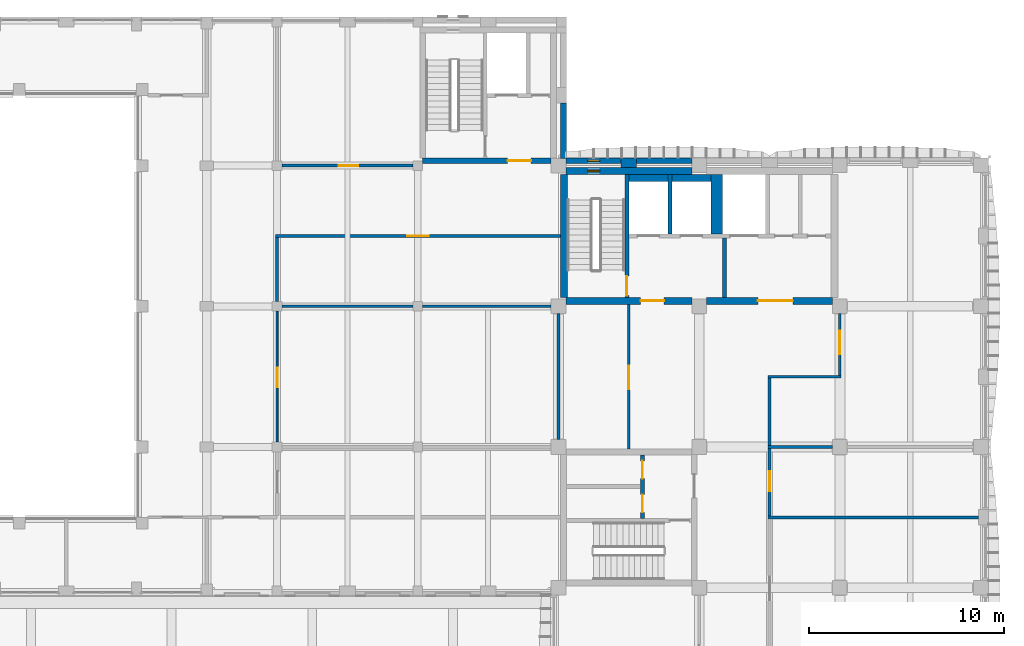
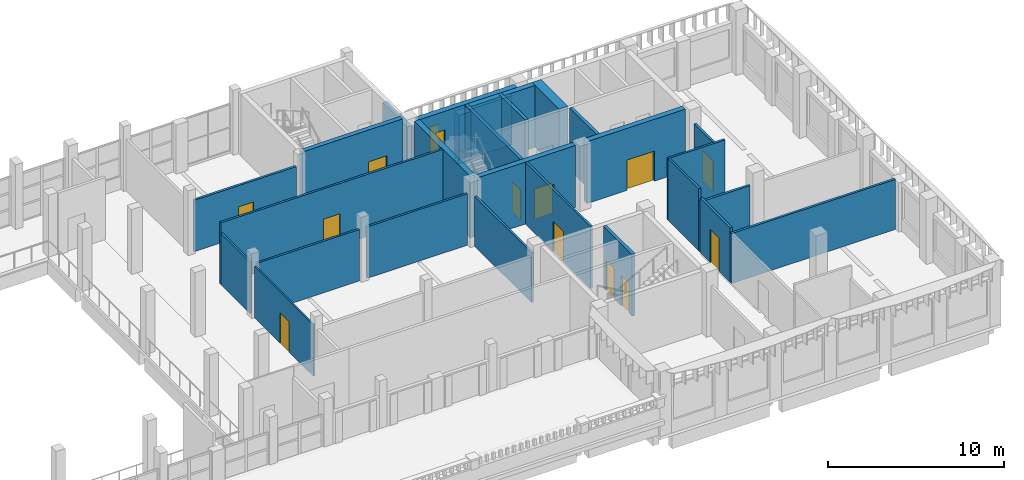
# One storey, part 23 of 58: 30 walls, 12 doors, 2 windows, 14 openings.
"""IFC4 building model written with IfcOpenShell, lengths in metres."""

from ifc_helpers import new_model, si_unit, direction, frame, frame_2d, origin, place, context, subcontext, project, spatial, rectangle, extrude, material, layer, layer_set, type_object, element, fill, save


model = new_model("IFC4")

# Units and contexts
model_context = context("Model", 3, precision=1e-05, world=origin(), true_north=direction((0.0, 1.0)))
body_context = subcontext(model_context, "Body", "Model", "MODEL_VIEW")
ifc_project = project(units=[si_unit("LENGTHUNIT", "METRE"), si_unit("AREAUNIT", "SQUARE_METRE"), si_unit("VOLUMEUNIT", "CUBIC_METRE"), si_unit("PLANEANGLEUNIT", "RADIAN"), si_unit("MASSUNIT", "GRAM", prefix="KILO")], contexts=[model_context])

# Site, building, storey
site_placement = place(None, origin())
site = spatial("IfcSite", under=ifc_project, at=site_placement, CompositionType="ELEMENT")
building_placement = place(site_placement, origin())
building = spatial("IfcBuilding", under=site, at=building_placement, Name="Ussher Court Research Institute", CompositionType="ELEMENT")
storey_placement = place(building_placement, frame((0.0, 0.0, 9.89990234375)))
storey = spatial("IfcBuildingStorey", under=building, at=storey_placement, Name="L02", CompositionType="ELEMENT", Elevation=9.89990234375)

# Wall
ifc_material_1 = material(Name="Limestone facing on blockwork", Category="masonry")
ifc_layer_1 = layer(ifc_material_1, 0.300048828125)
ifc_layer_set_1 = layer_set([ifc_layer_1], Name="Limestone facing on blockwork")
wall_type_1 = type_object("IfcWallType", Name="External wall 300 stair enclosure", PredefinedType="SOLIDWALL", material=ifc_layer_set_1)
wall_1_placement = place(storey_placement, frame((82.449951171875, 36.0, 0.0), z_axis=(0.0, 0.0, 1.0), x_axis=(0.0, -1.0, 0.0)))
element("IfcWall", 1, at=wall_1_placement, inside=storey, type_object=wall_type_1, Name="External wall EW5 L02", PredefinedType="SOLIDWALL", context=body_context, shape_type="SweptSolid", body=[
    extrude(rectangle(XDim=2.824951171875, YDim=0.300048828125, at=frame_2d((1.41259765625, 0.0))), origin(), (0.0, 0.0, 1.0), 3.400146484375),
])

# Wall, opening, window
wall_2_placement = place(storey_placement, frame((82.574951171875, 33.050048828125, 0.0), z_axis=(0.0, 0.0, 1.0), x_axis=(1.0, 0.0, 0.0)))
wall_2 = element("IfcWall", 2, at=wall_2_placement, inside=storey, type_object=wall_type_1, Name="External wall EW5 L02", PredefinedType="SOLIDWALL", context=body_context, shape_type="SweptSolid", body=[
    extrude(rectangle(XDim=2.824951171875, YDim=0.300048828125, at=frame_2d((1.41259765625, 0.0))), origin(), (0.0, 0.0, 1.0), 3.400146484375),
])
opening_1_placement = place(wall_2_placement, frame((1.125, 0.0, 1.199951171875)))
opening_1 = element("IfcOpeningElement", 3, at=opening_1_placement, cuts=wall_2, Name="Opening W25", PredefinedType="OPENING", context=body_context, shape_type="SweptSolid", body=[
    extrude(rectangle(XDim=0.60009765625, YDim=1.800048828125, at=frame_2d((0.300048828125, 0.89990234375))), frame((0.0, 0.16015625, 0.0), z_axis=(0.0, -1.0, 0.0), x_axis=(1.0, 0.0, 0.0)), (0.0, 0.0, 1.0), 0.320068359375),
])
ifc_material_2 = material(Name="Bronze anodised aluminium with double glazing", Category="aluminium")
window_type = type_object("IfcWindowType", Name="Stair light slot window 600x1800 fire-resisting glazing", PartitioningType="SINGLE_PANEL", PredefinedType="WINDOW", material=ifc_material_2)
window_1_placement = place(opening_1_placement, origin())
window_1 = element("IfcWindow", 4, at=window_1_placement, inside=storey, type_object=window_type, Name="Window W25 L02", OverallHeight=1.800048828125, OverallWidth=0.60009765625, PartitioningType="SINGLE_PANEL", PredefinedType="WINDOW", context=body_context, shape_type="SweptSolid", body=[
    extrude(rectangle(XDim=0.60009765625, YDim=1.800048828125, at=frame_2d((0.300048828125, 0.89990234375))), frame((0.0, 0.030029296875, 0.0), z_axis=(0.0, -1.0, 0.0), x_axis=(1.0, 0.0, 0.0)), (0.0, 0.0, 1.0), 0.06005859375),
])
fill(opening_1, window_1)

# Walls
wall_3_placement = place(storey_placement, frame((86.199951171875, 33.050048828125, 0.0), z_axis=(0.0, 0.0, 1.0), x_axis=(1.0, 0.0, 0.0)))
element("IfcWall", 5, at=wall_3_placement, inside=storey, type_object=wall_type_1, Name="External wall EW5 L02", PredefinedType="SOLIDWALL", context=body_context, shape_type="SweptSolid", body=[
    extrude(rectangle(XDim=2.824951171875, YDim=0.300048828125, at=frame_2d((1.41259765625, 0.0))), origin(), (0.0, 0.0, 1.0), 3.400146484375),
])
ifc_material_3 = material(Name="Plastered blockwork", Category="masonry")
ifc_layer_2 = layer(ifc_material_3, 0.14990234375)
ifc_layer_set_2 = layer_set([ifc_layer_2], Name="Plastered blockwork")
wall_type_2 = type_object("IfcWallType", Name="Fire partition blockwork 150 EI 60", PredefinedType="PARTITIONING", material=ifc_layer_set_2)
wall_4_placement = place(storey_placement, frame((92.925048828125, 14.800048828125, 0.0), z_axis=(0.0, 0.0, 1.0), x_axis=(1.0, 0.0, 0.0)))
element("IfcWall", 6, at=wall_4_placement, inside=storey, type_object=wall_type_2, Name="Fire partition", PredefinedType="PARTITIONING", context=body_context, shape_type="SweptSolid", body=[
    extrude(rectangle(XDim=10.77490234375, YDim=0.14990234375, at=frame_2d((5.387451171875, 0.0))), origin(), (0.0, 0.0, 1.0), 3.47021484375),
])
wall_5_placement = place(storey_placement, frame((92.925048828125, 18.39990234375, 0.0), z_axis=(0.0, 0.0, 1.0), x_axis=(1.0, 0.0, 0.0)))
element("IfcWall", 7, at=wall_5_placement, inside=storey, type_object=wall_type_2, Name="Fire partition", PredefinedType="PARTITIONING", context=body_context, shape_type="SweptSolid", body=[
    extrude(rectangle(XDim=3.300048828125, YDim=0.14990234375, at=frame_2d((1.64990234375, 0.0))), origin(), (0.0, 0.0, 1.0), 3.47021484375),
])

# Wall, opening, door
wall_6_placement = place(storey_placement, frame((68.050048828125, 32.800048828125, 0.0), z_axis=(0.0, 0.0, 1.0), x_axis=(1.0, 0.0, 0.0)))
wall_6 = element("IfcWall", 8, at=wall_6_placement, inside=storey, type_object=wall_type_2, Name="Fire partition", PredefinedType="PARTITIONING", context=body_context, shape_type="SweptSolid", body=[
    extrude(rectangle(XDim=6.699951171875, YDim=0.14990234375, at=frame_2d((3.35009765625, 0.0))), origin(), (0.0, 0.0, 1.0), 3.570068359375),
])
opening_2_placement = place(wall_6_placement, frame((2.89990234375, 0.0, 0.0)))
opening_2 = element("IfcOpeningElement", 9, at=opening_2_placement, cuts=wall_6, Name="Opening D02035", PredefinedType="OPENING", context=body_context, shape_type="SweptSolid", body=[
    extrude(rectangle(XDim=1.0, YDim=2.10009765625, at=frame_2d((0.5, 1.050048828125))), frame((0.0, 0.0849609375, 0.0), z_axis=(0.0, -1.0, 0.0), x_axis=(1.0, 0.0, 0.0)), (0.0, 0.0, 1.0), 0.169921875),
])
ifc_material_4 = material(Name="Painted steel faced fire door", Category="steel")
door_type_1 = type_object("IfcDoorType", Name="Store door 1000x2100 FD60", OperationType="NOTDEFINED", PredefinedType="DOOR", material=ifc_material_4)
door_1_placement = place(opening_2_placement, origin())
door_1 = element("IfcDoor", 10, at=door_1_placement, inside=storey, type_object=door_type_1, Name="Door D02035", OperationType="SINGLE_SWING_RIGHT", OverallHeight=2.10009765625, OverallWidth=1.0, PredefinedType="DOOR", context=body_context, shape_type="SweptSolid", body=[
    extrude(rectangle(XDim=1.0, YDim=2.10009765625, at=frame_2d((0.5, 1.050048828125))), frame((0.0, 0.02490234375, 0.0), z_axis=(0.0, -1.0, 0.0), x_axis=(1.0, 0.0, 0.0)), (0.0, 0.0, 1.0), 0.050048828125),
])
fill(opening_2, door_1)

wall_7_placement = place(storey_placement, frame((93.0, 18.324951171875, 0.0), z_axis=(0.0, 0.0, 1.0), x_axis=(0.0, -1.0, 0.0)))
wall_7 = element("IfcWall", 11, at=wall_7_placement, inside=storey, type_object=wall_type_2, Name="Fire partition", PredefinedType="PARTITIONING", context=body_context, shape_type="SweptSolid", body=[
    extrude(rectangle(XDim=3.449951171875, YDim=0.14990234375, at=frame_2d((1.72509765625, 0.0))), origin(), (0.0, 0.0, 1.0), 3.77001953125),
])
opening_3_placement = place(wall_7_placement, frame((1.175048828125, 0.0, 0.0)))
opening_3 = element("IfcOpeningElement", 12, at=opening_3_placement, cuts=wall_7, Name="Opening D02060", PredefinedType="OPENING", context=body_context, shape_type="SweptSolid", body=[
    extrude(rectangle(XDim=1.0, YDim=2.300048828125, at=frame_2d((0.5, 1.14990234375))), frame((0.0, 0.0849609375, 0.0), z_axis=(0.0, -1.0, 0.0), x_axis=(1.0, 0.0, 0.0)), (0.0, 0.0, 1.0), 0.169921875),
])
ifc_material_5 = material(Name="Painted steel faced fire door", Category="steel")
door_type_2 = type_object("IfcDoorType", Name="Cold store door 1000x2300 FD60", OperationType="NOTDEFINED", PredefinedType="DOOR", material=ifc_material_5)
door_2_placement = place(opening_3_placement, origin())
door_2 = element("IfcDoor", 13, at=door_2_placement, inside=storey, type_object=door_type_2, Name="Door D02060", OperationType="SINGLE_SWING_LEFT", OverallHeight=2.300048828125, OverallWidth=1.0, PredefinedType="DOOR", context=body_context, shape_type="SweptSolid", body=[
    extrude(rectangle(XDim=1.0, YDim=2.300048828125, at=frame_2d((0.5, 1.14990234375))), frame((0.0, 0.02490234375, 0.0), z_axis=(0.0, -1.0, 0.0), x_axis=(1.0, 0.0, 0.0)), (0.0, 0.0, 1.0), 0.050048828125),
])
fill(opening_3, door_2)

# Walls
ifc_material_6 = material(Name="Plastered blockwork", Category="masonry")
ifc_layer_3 = layer(ifc_material_6, 0.139892578125)
ifc_layer_set_3 = layer_set([ifc_layer_3], Name="Plastered blockwork")
wall_type_3 = type_object("IfcWallType", Name="Laboratory blockwork partition 140", PredefinedType="PARTITIONING", material=ifc_layer_set_3)
wall_8_placement = place(storey_placement, frame((92.929931640625, 22.0, 0.0), z_axis=(0.0, 0.0, 1.0), x_axis=(1.0, 0.0, 0.0)))
element("IfcWall", 14, at=wall_8_placement, inside=storey, type_object=wall_type_3, Name="Partition", PredefinedType="PARTITIONING", context=body_context, shape_type="SweptSolid", body=[
    extrude(rectangle(XDim=3.739990234375, YDim=0.139892578125, at=frame_2d((1.8701171875, 0.0))), origin(), (0.0, 0.0, 1.0), 4.300048828125),
])
wall_9_placement = place(storey_placement, frame((68.050048828125, 25.60009765625, 0.0), z_axis=(0.0, 0.0, 1.0), x_axis=(1.0, 0.0, 0.0)))
element("IfcWall", 15, at=wall_9_placement, inside=storey, type_object=wall_type_3, Name="Partition", PredefinedType="PARTITIONING", context=body_context, shape_type="SweptSolid", body=[
    extrude(rectangle(XDim=6.699951171875, YDim=0.139892578125, at=frame_2d((3.35009765625, 0.0))), origin(), (0.0, 0.0, 1.0), 3.570068359375),
])
wall_10_placement = place(storey_placement, frame((75.25, 25.60009765625, 0.0), z_axis=(0.0, 0.0, 1.0), x_axis=(1.0, 0.0, 0.0)))
element("IfcWall", 16, at=wall_10_placement, inside=storey, type_object=wall_type_3, Name="Partition", PredefinedType="PARTITIONING", context=body_context, shape_type="SweptSolid", body=[
    extrude(rectangle(XDim=6.574951171875, YDim=0.139892578125, at=frame_2d((3.28759765625, 0.0))), origin(), (0.0, 0.0, 1.0), 3.570068359375),
])

# Wall, opening, door
wall_11_placement = place(storey_placement, frame((82.300048828125, 29.199951171875, 0.0), z_axis=(0.0, 0.0, 1.0), x_axis=(-1.0, 0.0, 0.0)))
wall_11 = element("IfcWall", 17, at=wall_11_placement, inside=storey, type_object=wall_type_3, Name="Partition", PredefinedType="PARTITIONING", context=body_context, shape_type="SweptSolid", body=[
    extrude(rectangle(XDim=14.570068359375, YDim=0.139892578125, at=frame_2d((7.28515625, 0.0))), origin(), (0.0, 0.0, 1.0), 4.300048828125),
])
opening_4_placement = place(wall_11_placement, frame((6.75, 0.0, 0.0)))
opening_4 = element("IfcOpeningElement", 18, at=opening_4_placement, cuts=wall_11, Name="Opening D02037", PredefinedType="OPENING", context=body_context, shape_type="SweptSolid", body=[
    extrude(rectangle(XDim=1.10009765625, YDim=2.199951171875, at=frame_2d((0.550048828125, 1.10009765625))), frame((0.0, 0.080078125, 0.0), z_axis=(0.0, -1.0, 0.0), x_axis=(1.0, 0.0, 0.0)), (0.0, 0.0, 1.0), 0.159912109375),
])
ifc_material_7 = material(Name="Veneered timber door", Category="wood")
door_type_3 = type_object("IfcDoorType", Name="Computing laboratory door 1100x2200", OperationType="NOTDEFINED", PredefinedType="DOOR", material=ifc_material_7)
door_3_placement = place(opening_4_placement, origin())
door_3 = element("IfcDoor", 19, at=door_3_placement, inside=storey, type_object=door_type_3, Name="Door D02037", OperationType="SINGLE_SWING_RIGHT", OverallHeight=2.199951171875, OverallWidth=1.10009765625, PredefinedType="DOOR", context=body_context, shape_type="SweptSolid", body=[
    extrude(rectangle(XDim=1.10009765625, YDim=2.199951171875, at=frame_2d((0.550048828125, 1.10009765625))), frame((0.0, 0.02490234375, 0.0), z_axis=(0.0, -1.0, 0.0), x_axis=(1.0, 0.0, 0.0)), (0.0, 0.0, 1.0), 0.050048828125),
])
fill(opening_4, door_3)

# Walls
wall_12_placement = place(storey_placement, frame((67.800048828125, 25.85009765625, 0.0), z_axis=(0.0, 0.0, 1.0), x_axis=(0.0, 1.0, 0.0)))
element("IfcWall", 20, at=wall_12_placement, inside=storey, type_object=wall_type_3, Name="Partition", PredefinedType="PARTITIONING", context=body_context, shape_type="SweptSolid", body=[
    extrude(rectangle(XDim=3.27978515625, YDim=0.139892578125, at=frame_2d((1.639892578125, 0.0))), origin(), (0.0, 0.0, 1.0), 3.570068359375),
])
wall_13_placement = place(storey_placement, frame((82.199951171875, 18.77490234375, 0.0), z_axis=(0.0, 0.0, 1.0), x_axis=(0.0, 1.0, 0.0)))
element("IfcWall", 21, at=wall_13_placement, inside=storey, type_object=wall_type_3, Name="Partition", PredefinedType="PARTITIONING", context=body_context, shape_type="SweptSolid", body=[
    extrude(rectangle(XDim=6.4501953125, YDim=0.139892578125, at=frame_2d((3.22509765625, 0.0))), origin(), (0.0, 0.0, 1.0), 3.47021484375),
])

# Wall, opening, door
wall_14_placement = place(storey_placement, frame((85.800048828125, 18.300048828125, 0.0), z_axis=(0.0, 0.0, 1.0), x_axis=(0.0, 1.0, 0.0)))
wall_14 = element("IfcWall", 22, at=wall_14_placement, inside=storey, type_object=wall_type_3, Name="Partition", PredefinedType="PARTITIONING", context=body_context, shape_type="SweptSolid", body=[
    extrude(rectangle(XDim=7.39990234375, YDim=0.139892578125, at=frame_2d((3.699951171875, 0.0))), origin(), (0.0, 0.0, 1.0), 4.300048828125),
])
opening_5_placement = place(wall_14_placement, frame((3.050048828125, 0.0, 0.0)))
opening_5 = element("IfcOpeningElement", 23, at=opening_5_placement, cuts=wall_14, Name="Opening D02048", PredefinedType="OPENING", context=body_context, shape_type="SweptSolid", body=[
    extrude(rectangle(XDim=1.199951171875, YDim=2.10009765625, at=frame_2d((0.60009765625, 1.050048828125))), frame((0.0, 0.080078125, 0.0), z_axis=(0.0, -1.0, 0.0), x_axis=(1.0, 0.0, 0.0)), (0.0, 0.0, 1.0), 0.159912109375),
])
ifc_material_8 = material(Name="Veneered timber door", Category="wood")
door_type_4 = type_object("IfcDoorType", Name="Laboratory door 1200x2100", OperationType="NOTDEFINED", PredefinedType="DOOR", material=ifc_material_8)
door_4_placement = place(opening_5_placement, origin())
door_4 = element("IfcDoor", 24, at=door_4_placement, inside=storey, type_object=door_type_4, Name="Door D02048", OperationType="SINGLE_SWING_LEFT", OverallHeight=2.10009765625, OverallWidth=1.199951171875, PredefinedType="DOOR", context=body_context, shape_type="SweptSolid", body=[
    extrude(rectangle(XDim=1.199951171875, YDim=2.10009765625, at=frame_2d((0.60009765625, 1.050048828125))), frame((0.0, 0.02490234375, 0.0), z_axis=(0.0, -1.0, 0.0), x_axis=(1.0, 0.0, 0.0)), (0.0, 0.0, 1.0), 0.050048828125),
])
fill(opening_5, door_4)

# Wall
wall_15_placement = place(storey_placement, frame((93.0, 18.47509765625, 0.0), z_axis=(0.0, 0.0, 1.0), x_axis=(0.0, 1.0, 0.0)))
element("IfcWall", 25, at=wall_15_placement, inside=storey, type_object=wall_type_3, Name="Partition", PredefinedType="PARTITIONING", context=body_context, shape_type="SweptSolid", body=[
    extrude(rectangle(XDim=3.454833984375, YDim=0.139892578125, at=frame_2d((1.7275390625, 0.0))), origin(), (0.0, 0.0, 1.0), 4.300048828125),
])

# Wall, opening, door
wall_16_placement = place(storey_placement, frame((96.60009765625, 25.22509765625, 0.0), z_axis=(0.0, 0.0, 1.0), x_axis=(0.0, -1.0, 0.0)))
wall_16 = element("IfcWall", 26, at=wall_16_placement, inside=storey, type_object=wall_type_3, Name="Partition", PredefinedType="PARTITIONING", context=body_context, shape_type="SweptSolid", body=[
    extrude(rectangle(XDim=3.155029296875, YDim=0.139892578125, at=frame_2d((1.57763671875, 0.0))), origin(), (0.0, 0.0, 1.0), 3.47021484375),
])
opening_6_placement = place(wall_16_placement, frame((0.875, 0.0, 0.0)))
opening_6 = element("IfcOpeningElement", 27, at=opening_6_placement, cuts=wall_16, Name="Opening D02066", PredefinedType="OPENING", context=body_context, shape_type="SweptSolid", body=[
    extrude(rectangle(XDim=1.199951171875, YDim=2.10009765625, at=frame_2d((0.60009765625, 1.050048828125))), frame((0.0, 0.080078125, 0.0), z_axis=(0.0, -1.0, 0.0), x_axis=(1.0, 0.0, 0.0)), (0.0, 0.0, 1.0), 0.159912109375),
])
door_5_placement = place(opening_6_placement, origin())
door_5 = element("IfcDoor", 28, at=door_5_placement, inside=storey, type_object=door_type_4, Name="Door D02066", OperationType="SINGLE_SWING_LEFT", OverallHeight=2.10009765625, OverallWidth=1.199951171875, PredefinedType="DOOR", context=body_context, shape_type="SweptSolid", body=[
    extrude(rectangle(XDim=1.199951171875, YDim=2.10009765625, at=frame_2d((0.60009765625, 1.050048828125))), frame((0.0, 0.02490234375, 0.0), z_axis=(0.0, -1.0, 0.0), x_axis=(1.0, 0.0, 0.0)), (0.0, 0.0, 1.0), 0.050048828125),
])
fill(opening_6, door_5)

ifc_material_9 = material(Name="Plastered blockwork", Category="masonry")
ifc_layer_4 = layer(ifc_material_9, 0.10009765625)
ifc_layer_set_4 = layer_set([ifc_layer_4], Name="Plastered blockwork")
wall_type_4 = type_object("IfcWallType", Name="Partition plastered blockwork 100", PredefinedType="PARTITIONING", material=ifc_layer_set_4)
wall_17_placement = place(storey_placement, frame((67.800048828125, 25.35009765625, 0.0), z_axis=(0.0, 0.0, 1.0), x_axis=(0.0, -1.0, 0.0)))
wall_17 = element("IfcWall", 29, at=wall_17_placement, inside=storey, type_object=wall_type_4, Name="Partition", PredefinedType="PARTITIONING", context=body_context, shape_type="SweptSolid", body=[
    extrude(rectangle(XDim=6.7001953125, YDim=0.10009765625, at=frame_2d((3.35009765625, 0.0))), origin(), (0.0, 0.0, 1.0), 3.570068359375),
])
opening_7_placement = place(wall_17_placement, frame((2.89990234375, 0.0, 0.0)))
opening_7 = element("IfcOpeningElement", 30, at=opening_7_placement, cuts=wall_17, Name="Opening D02033", PredefinedType="OPENING", context=body_context, shape_type="SweptSolid", body=[
    extrude(rectangle(XDim=1.0, YDim=2.10009765625, at=frame_2d((0.5, 1.050048828125))), frame((0.0, 0.06005859375, 0.0), z_axis=(0.0, -1.0, 0.0), x_axis=(1.0, 0.0, 0.0)), (0.0, 0.0, 1.0), 0.1201171875),
])
ifc_material_10 = material(Name="Veneered timber door", Category="wood")
door_type_5 = type_object("IfcDoorType", Name="Office door 1000x2100", OperationType="NOTDEFINED", PredefinedType="DOOR", material=ifc_material_10)
door_6_placement = place(opening_7_placement, origin())
door_6 = element("IfcDoor", 31, at=door_6_placement, inside=storey, type_object=door_type_5, Name="Door D02033", OperationType="SINGLE_SWING_RIGHT", OverallHeight=2.10009765625, OverallWidth=1.0, PredefinedType="DOOR", context=body_context, shape_type="SweptSolid", body=[
    extrude(rectangle(XDim=1.0, YDim=2.10009765625, at=frame_2d((0.5, 1.050048828125))), frame((0.0, 0.02490234375, 0.0), z_axis=(0.0, -1.0, 0.0), x_axis=(1.0, 0.0, 0.0)), (0.0, 0.0, 1.0), 0.050048828125),
])
fill(opening_7, door_6)

# Wall
ifc_material_11 = material(Name="Blockwork with cream render", Category="masonry")
ifc_layer_5 = layer(ifc_material_11, 0.5)
ifc_layer_set_5 = layer_set([ifc_layer_5], Name="Blockwork with cream render")
wall_type_5 = type_object("IfcWallType", Name="Pier 800x500 cream render", PredefinedType="SOLIDWALL", material=ifc_layer_set_5)
wall_18_placement = place(storey_placement, frame((85.39990234375, 32.949951171875, 0.0), z_axis=(0.0, 0.0, 1.0), x_axis=(1.0, 0.0, 0.0)))
element("IfcWall", 32, at=wall_18_placement, inside=storey, type_object=wall_type_5, Name="Pier PR1 L02", PredefinedType="SOLIDWALL", context=body_context, shape_type="SweptSolid", body=[
    extrude(rectangle(XDim=0.800048828125, YDim=0.5, at=frame_2d((0.39990234375, 0.0))), origin(), (0.0, 0.0, 1.0), 3.400146484375),
])

# Wall, opening, door
ifc_material_12 = material(Name="Concrete C35/45", Category="concrete")
ifc_layer_6 = layer(ifc_material_12, 0.199951171875)
ifc_layer_set_6 = layer_set([ifc_layer_6], Name="Concrete C35/45")
wall_type_6 = type_object("IfcWallType", Name="RC core wall 200", PredefinedType="SHEAR", material=ifc_layer_set_6)
wall_19_placement = place(storey_placement, frame((85.699951171875, 26.050048828125, 0.0), z_axis=(0.0, 0.0, 1.0), x_axis=(0.0, 1.0, 0.0)))
wall_19 = element("IfcWall", 33, at=wall_19_placement, inside=storey, type_object=wall_type_6, Name="Core wall T1", PredefinedType="SHEAR", context=body_context, shape_type="SweptSolid", body=[
    extrude(rectangle(XDim=6.300048828125, YDim=0.199951171875, at=frame_2d((3.14990234375, 0.0))), origin(), (0.0, 0.0, 1.0), 4.300048828125),
])
opening_8_placement = place(wall_19_placement, frame((0.10009765625, 0.0, 0.0)))
opening_8 = element("IfcOpeningElement", 34, at=opening_8_placement, cuts=wall_19, Name="Opening D02047", PredefinedType="OPENING", context=body_context, shape_type="SweptSolid", body=[
    extrude(rectangle(XDim=1.0, YDim=2.10009765625, at=frame_2d((0.5, 1.050048828125))), frame((0.0, 0.10986328125, 0.0), z_axis=(0.0, -1.0, 0.0), x_axis=(1.0, 0.0, 0.0)), (0.0, 0.0, 1.0), 0.219970703125),
])
ifc_material_13 = material(Name="Painted steel faced fire door", Category="steel")
door_type_6 = type_object("IfcDoorType", Name="Fire door 1000x2100 FD60", OperationType="NOTDEFINED", PredefinedType="DOOR", material=ifc_material_13)
door_7_placement = place(opening_8_placement, origin())
door_7 = element("IfcDoor", 35, at=door_7_placement, inside=storey, type_object=door_type_6, Name="Door D02047", OperationType="SINGLE_SWING_LEFT", OverallHeight=2.10009765625, OverallWidth=1.0, PredefinedType="DOOR", context=body_context, shape_type="SweptSolid", body=[
    extrude(rectangle(XDim=1.0, YDim=2.10009765625, at=frame_2d((0.5, 1.050048828125))), frame((0.0, 0.02490234375, 0.0), z_axis=(0.0, -1.0, 0.0), x_axis=(1.0, 0.0, 0.0)), (0.0, 0.0, 1.0), 0.050048828125),
])
fill(opening_8, door_7)

# Walls
for number, where, z_axis, x_axis, name in (
    (36, (90.699951171875, 26.050048828125, 0.0), (0.0, 0.0, 1.0), (0.0, 1.0, 0.0), "Core wall T1"),
    (37, (87.89990234375, 29.300048828125, 0.0), (0.0, 0.0, 1.0), (0.0, 1.0, 0.0), "Core wall T1"),
):
    element("IfcWall", number, at=place(storey_placement, frame(where, z_axis=z_axis, x_axis=x_axis)), inside=storey, type_object=wall_type_6, Name=name, PredefinedType="SHEAR", context=body_context, shape_type="SweptSolid", body=[
        extrude(rectangle(XDim=3.050048828125, YDim=0.199951171875, at=frame_2d((1.52490234375, 0.0))), origin(), (0.0, 0.0, 1.0), 4.300048828125),
    ])

# Wall, openings, doors
wall_20_placement = place(storey_placement, frame((86.5, 18.0, 0.0), z_axis=(0.0, 0.0, 1.0), x_axis=(0.0, -1.0, 0.0)))
wall_20 = element("IfcWall", 38, at=wall_20_placement, inside=storey, type_object=wall_type_6, Name="Core wall T2", PredefinedType="SHEAR", context=body_context, shape_type="SweptSolid", body=[
    extrude(rectangle(XDim=3.25, YDim=0.199951171875, at=frame_2d((1.625, 0.0))), origin(), (0.0, 0.0, 1.0), 4.300048828125),
])
opening_9_placement = place(wall_20_placement, frame((2.03759765625, 0.0, 0.0)))
opening_9 = element("IfcOpeningElement", 39, at=opening_9_placement, cuts=wall_20, Name="Opening D02050", PredefinedType="OPENING", context=body_context, shape_type="SweptSolid", body=[
    extrude(rectangle(XDim=0.89990234375, YDim=2.10009765625, at=frame_2d((0.449951171875, 1.050048828125))), frame((0.0, 0.10986328125, 0.0), z_axis=(0.0, -1.0, 0.0), x_axis=(1.0, 0.0, 0.0)), (0.0, 0.0, 1.0), 0.219970703125),
])
opening_10_placement = place(wall_20_placement, frame((0.3125, 0.0, 0.0)))
opening_10 = element("IfcOpeningElement", 40, at=opening_10_placement, cuts=wall_20, Name="Opening D02051", PredefinedType="OPENING", context=body_context, shape_type="SweptSolid", body=[
    extrude(rectangle(XDim=0.89990234375, YDim=2.10009765625, at=frame_2d((0.449951171875, 1.050048828125))), frame((0.0, 0.10986328125, 0.0), z_axis=(0.0, -1.0, 0.0), x_axis=(1.0, 0.0, 0.0)), (0.0, 0.0, 1.0), 0.219970703125),
])
ifc_material_14 = material(Name="Painted steel faced fire door", Category="steel")
door_type_7 = type_object("IfcDoorType", Name="Fire door 900x2100 FD60", OperationType="NOTDEFINED", PredefinedType="DOOR", material=ifc_material_14)
door_8_placement = place(opening_9_placement, origin())
door_8 = element("IfcDoor", 41, at=door_8_placement, inside=storey, type_object=door_type_7, Name="Door D02050", OperationType="SINGLE_SWING_RIGHT", OverallHeight=2.10009765625, OverallWidth=0.89990234375, PredefinedType="DOOR", context=body_context, shape_type="SweptSolid", body=[
    extrude(rectangle(XDim=0.89990234375, YDim=2.10009765625, at=frame_2d((0.449951171875, 1.050048828125))), frame((0.0, 0.02490234375, 0.0), z_axis=(0.0, -1.0, 0.0), x_axis=(1.0, 0.0, 0.0)), (0.0, 0.0, 1.0), 0.050048828125),
])
fill(opening_9, door_8)
door_9_placement = place(opening_10_placement, origin())
door_9 = element("IfcDoor", 42, at=door_9_placement, inside=storey, type_object=door_type_7, Name="Door D02051", OperationType="SINGLE_SWING_LEFT", OverallHeight=2.10009765625, OverallWidth=0.89990234375, PredefinedType="DOOR", context=body_context, shape_type="SweptSolid", body=[
    extrude(rectangle(XDim=0.89990234375, YDim=2.10009765625, at=frame_2d((0.449951171875, 1.050048828125))), frame((0.0, 0.02490234375, 0.0), z_axis=(0.0, -1.0, 0.0), x_axis=(1.0, 0.0, 0.0)), (0.0, 0.0, 1.0), 0.050048828125),
])
fill(opening_10, door_9)

# Wall, opening, door
ifc_material_15 = material(Name="Concrete C35/45", Category="concrete")
ifc_layer_7 = layer(ifc_material_15, 0.300048828125)
ifc_layer_set_7 = layer_set([ifc_layer_7], Name="Concrete C35/45")
wall_type_7 = type_object("IfcWallType", Name="RC core wall 300", PredefinedType="SHEAR", material=ifc_layer_set_7)
wall_21_placement = place(storey_placement, frame((75.25, 33.050048828125, 0.0), z_axis=(0.0, 0.0, 1.0), x_axis=(1.0, 0.0, 0.0)))
wall_21 = element("IfcWall", 43, at=wall_21_placement, inside=storey, type_object=wall_type_7, Name="Core wall E1", PredefinedType="SHEAR", context=body_context, shape_type="SweptSolid", body=[
    extrude(rectangle(XDim=6.574951171875, YDim=0.300048828125, at=frame_2d((3.28759765625, 0.0))), origin(), (0.0, 0.0, 1.0), 4.300048828125),
])
opening_11_placement = place(wall_21_placement, frame((4.35009765625, 0.0, 0.0)))
opening_11 = element("IfcOpeningElement", 44, at=opening_11_placement, cuts=wall_21, Name="Opening D02042", PredefinedType="OPENING", context=body_context, shape_type="SweptSolid", body=[
    extrude(rectangle(XDim=1.199951171875, YDim=2.10009765625, at=frame_2d((0.60009765625, 1.050048828125))), frame((0.0, 0.16015625, 0.0), z_axis=(0.0, -1.0, 0.0), x_axis=(1.0, 0.0, 0.0)), (0.0, 0.0, 1.0), 0.320068359375),
])
ifc_material_16 = material(Name="Painted steel faced fire door", Category="steel")
door_type_8 = type_object("IfcDoorType", Name="Fire door 1200x2100 FD60", OperationType="NOTDEFINED", PredefinedType="DOOR", material=ifc_material_16)
door_10_placement = place(opening_11_placement, origin())
door_10 = element("IfcDoor", 45, at=door_10_placement, inside=storey, type_object=door_type_8, Name="Door D02042", OperationType="SINGLE_SWING_RIGHT", OverallHeight=2.10009765625, OverallWidth=1.199951171875, PredefinedType="DOOR", context=body_context, shape_type="SweptSolid", body=[
    extrude(rectangle(XDim=1.199951171875, YDim=2.10009765625, at=frame_2d((0.60009765625, 1.050048828125))), frame((0.0, 0.02490234375, 0.0), z_axis=(0.0, -1.0, 0.0), x_axis=(1.0, 0.0, 0.0)), (0.0, 0.0, 1.0), 0.050048828125),
])
fill(opening_11, door_10)

ifc_material_17 = material(Name="Concrete C35/45", Category="concrete")
ifc_layer_8 = layer(ifc_material_17, 0.35009765625)
ifc_layer_set_8 = layer_set([ifc_layer_8], Name="Concrete C35/45")
wall_type_8 = type_object("IfcWallType", Name="RC core wall 350", PredefinedType="SHEAR", material=ifc_layer_set_8)
wall_22_placement = place(storey_placement, frame((82.574951171875, 25.875, 0.0), z_axis=(0.0, 0.0, 1.0), x_axis=(1.0, 0.0, 0.0)))
wall_22 = element("IfcWall", 46, at=wall_22_placement, inside=storey, type_object=wall_type_8, Name="Core wall T1", PredefinedType="SHEAR", context=body_context, shape_type="SweptSolid", body=[
    extrude(rectangle(XDim=6.449951171875, YDim=0.35009765625, at=frame_2d((3.22509765625, 0.0))), origin(), (0.0, 0.0, 1.0), 4.300048828125),
])
opening_12_placement = place(wall_22_placement, frame((3.824951171875, 0.0, 0.0)))
opening_12 = element("IfcOpeningElement", 47, at=opening_12_placement, cuts=wall_22, Name="Opening D02052", PredefinedType="OPENING", context=body_context, shape_type="SweptSolid", body=[
    extrude(rectangle(XDim=1.199951171875, YDim=2.10009765625, at=frame_2d((0.60009765625, 1.050048828125))), frame((0.0, 0.18505859375, 0.0), z_axis=(0.0, -1.0, 0.0), x_axis=(1.0, 0.0, 0.0)), (0.0, 0.0, 1.0), 0.3701171875),
])
door_11_placement = place(opening_12_placement, origin())
door_11 = element("IfcDoor", 48, at=door_11_placement, inside=storey, type_object=door_type_8, Name="Door D02052", OperationType="SINGLE_SWING_RIGHT", OverallHeight=2.10009765625, OverallWidth=1.199951171875, PredefinedType="DOOR", context=body_context, shape_type="SweptSolid", body=[
    extrude(rectangle(XDim=1.199951171875, YDim=2.10009765625, at=frame_2d((0.60009765625, 1.050048828125))), frame((0.0, 0.02490234375, 0.0), z_axis=(0.0, -1.0, 0.0), x_axis=(1.0, 0.0, 0.0)), (0.0, 0.0, 1.0), 0.050048828125),
])
fill(opening_12, door_11)

wall_23_placement = place(storey_placement, frame((89.77490234375, 25.875, 0.0), z_axis=(0.0, 0.0, 1.0), x_axis=(1.0, 0.0, 0.0)))
wall_23 = element("IfcWall", 49, at=wall_23_placement, inside=storey, type_object=wall_type_8, Name="Core wall T1", PredefinedType="SHEAR", context=body_context, shape_type="SweptSolid", body=[
    extrude(rectangle(XDim=6.4501953125, YDim=0.35009765625, at=frame_2d((3.22509765625, 0.0))), origin(), (0.0, 0.0, 1.0), 4.300048828125),
])
opening_13_placement = place(wall_23_placement, frame((2.625, 0.0, 0.0)))
opening_13 = element("IfcOpeningElement", 50, at=opening_13_placement, cuts=wall_23, Name="Opening D02063", PredefinedType="OPENING", context=body_context, shape_type="SweptSolid", body=[
    extrude(rectangle(XDim=1.800048828125, YDim=2.10009765625, at=frame_2d((0.89990234375, 1.050048828125))), frame((0.0, 0.18505859375, 0.0), z_axis=(0.0, -1.0, 0.0), x_axis=(1.0, 0.0, 0.0)), (0.0, 0.0, 1.0), 0.3701171875),
])
ifc_material_18 = material(Name="Painted steel faced fire door", Category="steel")
door_type_9 = type_object("IfcDoorType", Name="Fire door 1800x2100 FD60 double leaf", OperationType="DOUBLE_DOOR_SINGLE_SWING", PredefinedType="DOOR", material=ifc_material_18)
door_12_placement = place(opening_13_placement, origin())
door_12 = element("IfcDoor", 51, at=door_12_placement, inside=storey, type_object=door_type_9, Name="Door D02063", OperationType="SINGLE_SWING_LEFT", OverallHeight=2.10009765625, OverallWidth=1.800048828125, PredefinedType="DOOR", context=body_context, shape_type="SweptSolid", body=[
    extrude(rectangle(XDim=1.800048828125, YDim=2.10009765625, at=frame_2d((0.89990234375, 1.050048828125))), frame((0.0, 0.02490234375, 0.0), z_axis=(0.0, -1.0, 0.0), x_axis=(1.0, 0.0, 0.0)), (0.0, 0.0, 1.0), 0.050048828125),
])
fill(opening_13, door_12)

# Wall, opening, window
wall_24_placement = place(storey_placement, frame((82.574951171875, 32.52490234375, 0.0), z_axis=(0.0, 0.0, 1.0), x_axis=(1.0, 0.0, 0.0)))
wall_24 = element("IfcWall", 52, at=wall_24_placement, inside=storey, type_object=wall_type_8, Name="Core wall T1", PredefinedType="SHEAR", context=body_context, shape_type="SweptSolid", body=[
    extrude(rectangle(XDim=6.449951171875, YDim=0.35009765625, at=frame_2d((3.22509765625, 0.0))), origin(), (0.0, 0.0, 1.0), 4.300048828125),
])
opening_14_placement = place(wall_24_placement, frame((1.125, 0.0, 1.199951171875)))
opening_14 = element("IfcOpeningElement", 53, at=opening_14_placement, cuts=wall_24, Name="Opening W25", PredefinedType="OPENING", context=body_context, shape_type="SweptSolid", body=[
    extrude(rectangle(XDim=0.60009765625, YDim=1.800048828125, at=frame_2d((0.300048828125, 0.89990234375))), frame((0.0, 0.18505859375, 0.0), z_axis=(0.0, -1.0, 0.0), x_axis=(1.0, 0.0, 0.0)), (0.0, 0.0, 1.0), 0.3701171875),
])
window_2_placement = place(opening_14_placement, origin())
window_2 = element("IfcWindow", 54, at=window_2_placement, inside=storey, type_object=window_type, Name="Window stair light T1 L02", OverallHeight=1.800048828125, OverallWidth=0.60009765625, PartitioningType="SINGLE_PANEL", PredefinedType="WINDOW", context=body_context, shape_type="SweptSolid", body=[
    extrude(rectangle(XDim=0.60009765625, YDim=1.800048828125, at=frame_2d((0.300048828125, 0.89990234375))), frame((0.0, 0.030029296875, 0.0), z_axis=(0.0, -1.0, 0.0), x_axis=(1.0, 0.0, 0.0)), (0.0, 0.0, 1.0), 0.06005859375),
])
fill(opening_14, window_2)

# Walls
wall_25_placement = place(storey_placement, frame((82.47509765625, 26.050048828125, 0.0), z_axis=(0.0, 0.0, 1.0), x_axis=(0.0, 1.0, 0.0)))
element("IfcWall", 55, at=wall_25_placement, inside=storey, type_object=wall_type_8, Name="Core wall T1", PredefinedType="SHEAR", context=body_context, shape_type="SweptSolid", body=[
    extrude(rectangle(XDim=6.300048828125, YDim=0.35009765625, at=frame_2d((3.14990234375, 0.0))), origin(), (0.0, 0.0, 1.0), 4.300048828125),
])
for number, where, z_axis, x_axis, name in (
    (56, (85.800048828125, 32.175048828125, 0.0), (0.0, 0.0, 1.0), (1.0, 0.0, 0.0), "Core wall T1"),
    (57, (88.0, 32.175048828125, 0.0), (0.0, 0.0, 1.0), (1.0, 0.0, 0.0), "Core wall T1"),
):
    element("IfcWall", number, at=place(storey_placement, frame(where, z_axis=z_axis, x_axis=x_axis)), inside=storey, type_object=wall_type_8, Name=name, PredefinedType="SHEAR", context=body_context, shape_type="SweptSolid", body=[
        extrude(rectangle(XDim=2.0, YDim=0.35009765625, at=frame_2d((1.0, 0.0))), origin(), (0.0, 0.0, 1.0), 4.300048828125),
    ])
ifc_material_19 = material(Name="Concrete C35/45", Category="concrete")
ifc_layer_9 = layer(ifc_material_19, 0.60009765625)
ifc_layer_set_9 = layer_set([ifc_layer_9], Name="Concrete C35/45")
wall_type_9 = type_object("IfcWallType", Name="RC core wall 600", PredefinedType="SHEAR", material=ifc_layer_set_9)
wall_26_placement = place(storey_placement, frame((90.300048828125, 29.300048828125, 0.0), z_axis=(0.0, 0.0, 1.0), x_axis=(0.0, 1.0, 0.0)))
element("IfcWall", 58, at=wall_26_placement, inside=storey, type_object=wall_type_9, Name="Core wall T1", PredefinedType="SHEAR", context=body_context, shape_type="SweptSolid", body=[
    extrude(rectangle(XDim=3.050048828125, YDim=0.60009765625, at=frame_2d((1.52490234375, 0.0))), origin(), (0.0, 0.0, 1.0), 4.300048828125),
])

save(model, "model.ifc")
